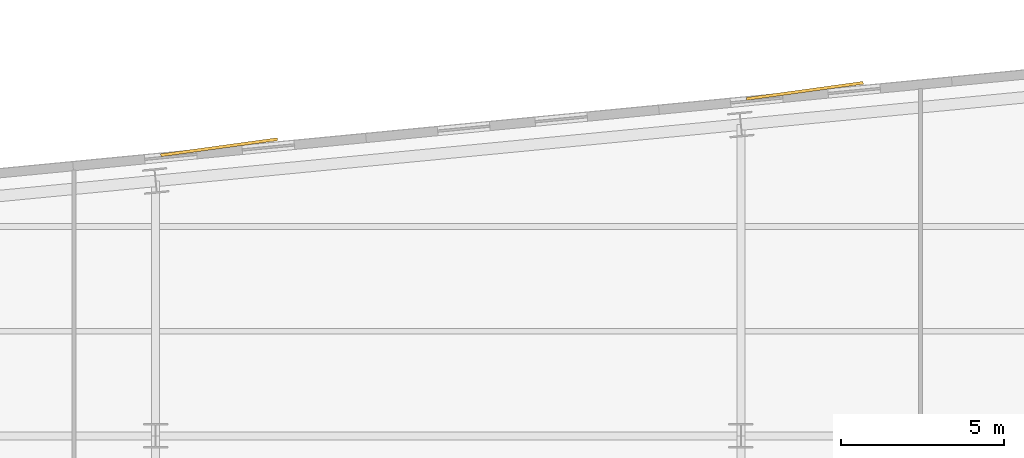
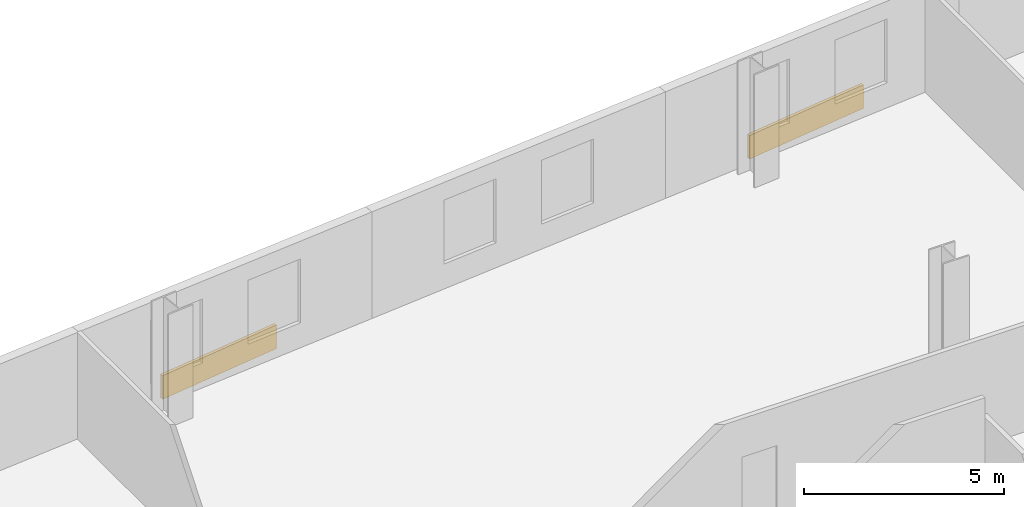
# One storey, part 10 of 10: 2 coverings.
"""IFC4 building model written with IfcOpenShell, lengths in metres."""

from ifc_helpers import new_model, si_unit, direction, frame, origin, origin_2d, place, context, subcontext, project, spatial, rectangle, extrude, material, layer, layer_set, type_object, element, save


model = new_model("IFC4")

# Units and contexts
model_context = context("Model", 3, precision=1e-05, world=origin(), true_north=direction((0.0, 1.0)))
body_context = subcontext(model_context, "Body", "Model", "MODEL_VIEW")
ifc_project = project(units=[si_unit("LENGTHUNIT", "METRE"), si_unit("AREAUNIT", "SQUARE_METRE"), si_unit("VOLUMEUNIT", "CUBIC_METRE"), si_unit("PLANEANGLEUNIT", "RADIAN"), si_unit("MASSUNIT", "GRAM", prefix="KILO")], contexts=[model_context])

# Site, building, storey
site_placement = place(None, origin())
site = spatial("IfcSite", under=ifc_project, at=site_placement, CompositionType="ELEMENT")
building_placement = place(site_placement, origin())
building = spatial("IfcBuilding", under=site, at=building_placement, Name="Velakula Bourse", CompositionType="ELEMENT")
storey_placement = place(building_placement, frame((0.0, 0.0, 81.10009765625)))
storey = spatial("IfcBuildingStorey", under=building, at=storey_placement, Name="L21", CompositionType="ELEMENT", Elevation=81.10009765625)

# Coverings
ifc_material = material(Name="Buff kilned clay facing brick masonry", Category="masonry")
ifc_layer = layer(ifc_material, 0.074951171875, Name="Buff kilned clay facing brick masonry", Category="masonry")
ifc_layer_set = layer_set([ifc_layer], Name="Buff kilned clay facing brick masonry")
covering_type = type_object("IfcCoveringType", Name="COV-BRK-SPN-75", PredefinedType="CLADDING", material=ifc_layer_set)
for number, where, z_axis, x_axis, name in (
    (1, (-7.0087890625, 23.428955078125, 0.0), (0.0, 0.0, 1.0), (0.990629029058, 0.136580111242, 0.0), "L21 Folded Brick Facade Cladding Panel N-B2"),
    (2, (10.908447265625, 25.154052734375, 0.0), (0.0, 0.0, 1.0), (0.990629029058, 0.136580111242, 0.0), "L21 Folded Brick Facade Cladding Panel N-B4"),
):
    element("IfcCovering", number, at=place(storey_placement, frame(where, z_axis=z_axis, x_axis=x_axis)), inside=storey, type_object=covering_type, Name=name, PredefinedType="CLADDING", context=body_context, shape_type="SweptSolid", body=[
        extrude(rectangle(XDim=3.60009765625, YDim=0.090087890625, at=origin_2d()), origin(), (0.0, 0.0, 1.0), 0.719970703125),
    ])

save(model, "model.ifc")
